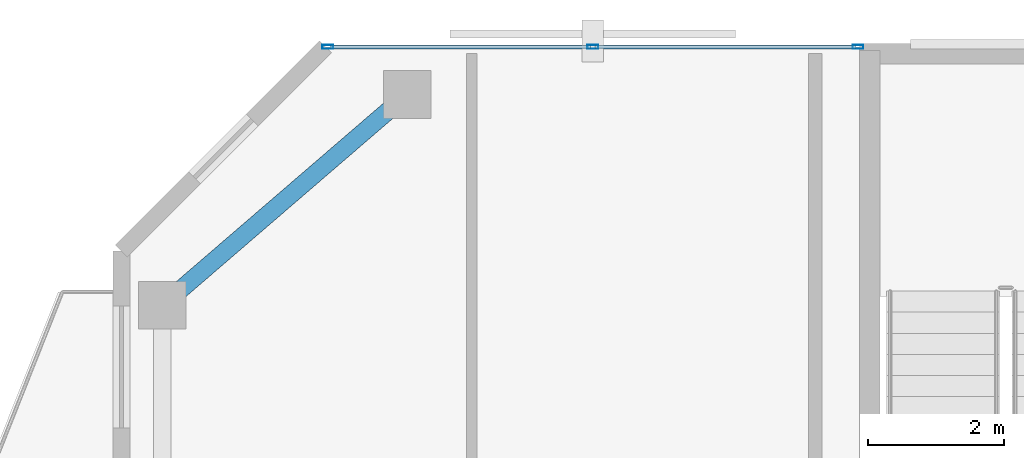
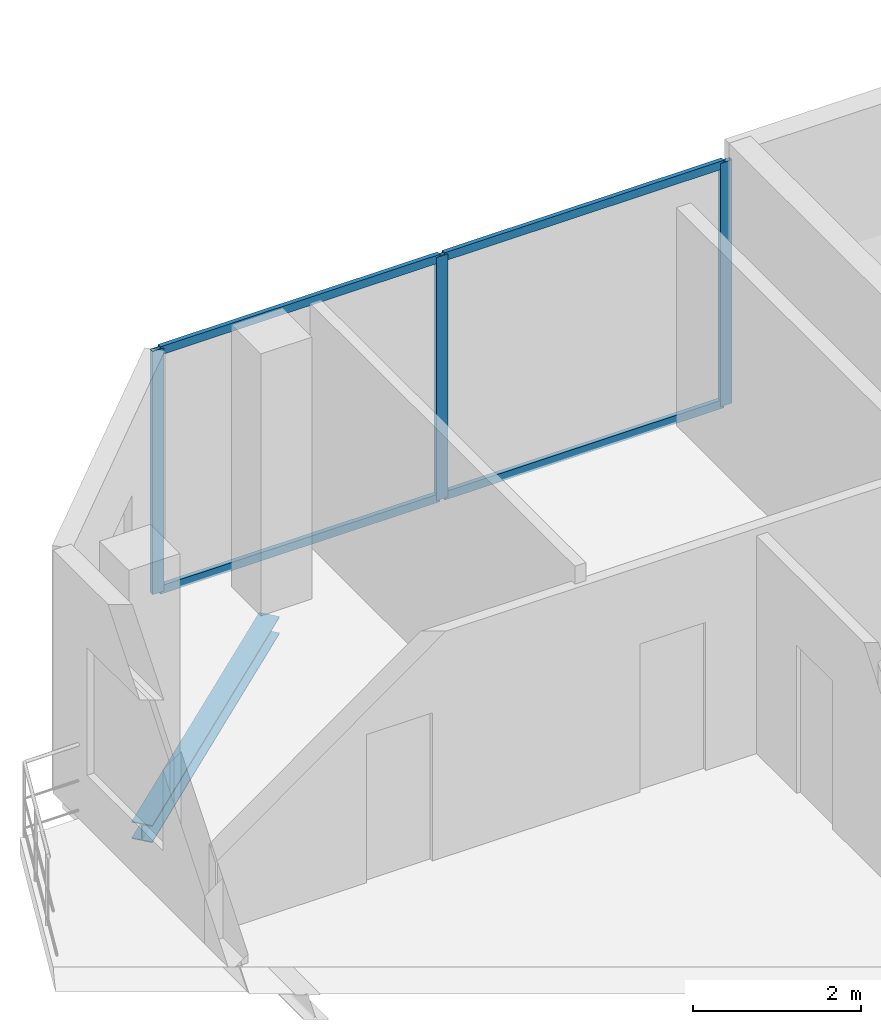
# One storey, part 16 of 22: 7 members, 1 beam, 1 element without a shape of its own.
"""IFC4 building model written with IfcOpenShell, lengths in metres."""

from ifc_helpers import new_model, si_unit, direction, frame, origin, origin_2d, place, context, subcontext, project, spatial, hollow_rectangle, i_section, extrude, material, layer, layer_set, material_profile, profile_set, type_object, element, aggregate, save


model = new_model("IFC4")

# Units and contexts
model_context = context("Model", 3, precision=1e-05, world=origin(), true_north=direction((0.0, 1.0)))
body_context = subcontext(model_context, "Body", "Model", "MODEL_VIEW")
ifc_project = project(units=[si_unit("LENGTHUNIT", "METRE"), si_unit("AREAUNIT", "SQUARE_METRE"), si_unit("VOLUMEUNIT", "CUBIC_METRE"), si_unit("PLANEANGLEUNIT", "RADIAN"), si_unit("MASSUNIT", "GRAM", prefix="KILO")], contexts=[model_context])

# Site, building, storey
site_placement = place(None, origin())
site = spatial("IfcSite", under=ifc_project, at=site_placement, CompositionType="ELEMENT")
building_placement = place(site_placement, origin())
building = spatial("IfcBuilding", under=site, at=building_placement, Name="Catumbela Crestline Tower", CompositionType="ELEMENT")
storey_placement = place(building_placement, frame((0.0, 0.0, 256.4)))
storey = spatial("IfcBuildingStorey", under=building, at=storey_placement, Name="L66", CompositionType="ELEMENT", Elevation=256.4)

# Curtain wall, members
ifc_material_1 = material(Name="Aluminium alloy AW-6060-T66", Category="aluminium")
ifc_layer = layer(ifc_material_1, 0.18, Name="Aluminium alloy AW-6060-T66")
ifc_layer_set = layer_set([ifc_layer], Name="Aluminium alloy AW-6060-T66")
curtain_wall_type = type_object("IfcCurtainWallType", Name="CWU-Z4", PredefinedType="USERDEFINED", material=ifc_layer_set)
curtain_wall_placement = place(storey_placement, origin())
curtain_wall = element("IfcCurtainWall", 1, at=curtain_wall_placement, inside=storey, type_object=curtain_wall_type, Name="L66 Unitised Curtain Wall CW-L66-E7S2", ObjectType="UNITISED", PredefinedType="USERDEFINED")
ifc_material_profile_1 = material_profile(ifc_material_1, hollow_rectangle(XDim=0.06, YDim=0.16, WallThickness=0.004, at=origin_2d()), Name="ALU 160x60x4")
ifc_profile_set_1 = profile_set([ifc_material_profile_1], Name="Aluminium alloy AW-6060-T66")
member_type_1 = type_object("IfcMemberType", Name="MUL-160X60", PredefinedType="MULLION", material=ifc_profile_set_1)
member_1_placement = place(storey_placement, frame((15.8275, 43.0, 0.0), z_axis=(0.0, 0.0, 1.0), x_axis=(0.0, -1.0, 0.0)))
member_1 = element("IfcMember", 2, at=member_1_placement, type_object=member_type_1, Name="CWU-Z4 mullion 1", PredefinedType="MULLION", context=body_context, shape_type="SweptSolid", body=[
    extrude(hollow_rectangle(XDim=0.06, YDim=0.16, WallThickness=0.004, at=origin_2d()), origin(), (0.0, 0.0, 1.0), 3.53),
])
member_2_placement = place(storey_placement, frame((11.93, 43.0, 0.0), z_axis=(0.0, 0.0, 1.0), x_axis=(0.0, -1.0, 0.0)))
member_2 = element("IfcMember", 3, at=member_2_placement, type_object=member_type_1, Name="CWU-Z4 mullion 2", PredefinedType="MULLION", context=body_context, shape_type="SweptSolid", body=[
    extrude(hollow_rectangle(XDim=0.06, YDim=0.16, WallThickness=0.004, at=origin_2d()), origin(), (0.0, 0.0, 1.0), 3.53),
])
member_3_placement = place(storey_placement, frame((8.0325, 43.0, 0.0), z_axis=(0.0, 0.0, 1.0), x_axis=(0.0, -1.0, 0.0)))
member_3 = element("IfcMember", 4, at=member_3_placement, type_object=member_type_1, Name="CWU-Z4 mullion 3", PredefinedType="MULLION", context=body_context, shape_type="SweptSolid", body=[
    extrude(hollow_rectangle(XDim=0.06, YDim=0.16, WallThickness=0.004, at=origin_2d()), origin(), (0.0, 0.0, 1.0), 3.53),
])

# Beam
ifc_material_2 = material(Name="Structural steel S355J2", Category="steel")
ifc_material_profile_2 = material_profile(ifc_material_2, i_section(OverallWidth=0.26, OverallDepth=0.25, WebThickness=0.0075, FlangeThickness=0.0125, FilletRadius=0.024, at=origin_2d()), Name="HEA 260")
ifc_profile_set_2 = profile_set([ifc_material_profile_2], Name="Structural steel S355J2")
beam_type = type_object("IfcBeamType", Name="BS-HEA260", PredefinedType="SPANDREL", material=ifc_profile_set_2)
beam_placement = place(storey_placement, frame((5.6606, 39.2522, -0.385), z_axis=(0.757772392559, 0.652518966066, 0.0), x_axis=(-0.652518966066, 0.757772392559, 0.0)))
element("IfcBeam", 5, at=beam_placement, inside=storey, type_object=beam_type, Name="L66 Spandrel SP-L66-N09", PredefinedType="SPANDREL", context=body_context, shape_type="SweptSolid", body=[
    extrude(i_section(OverallWidth=0.26, OverallDepth=0.25, WebThickness=0.0075, FlangeThickness=0.0125, FilletRadius=0.024, at=origin_2d()), origin(), (0.0, 0.0, 1.0), 4.5908),
])

# Member
ifc_material_profile_3 = material_profile(ifc_material_1, hollow_rectangle(XDim=0.06, YDim=0.12, WallThickness=0.0035, at=origin_2d()), Name="ALU 120x60x3.5")
ifc_profile_set_3 = profile_set([ifc_material_profile_3], Name="Aluminium alloy AW-6060-T66")
member_type_2 = type_object("IfcMemberType", Name="TRN-120X60", PredefinedType="USERDEFINED", material=ifc_profile_set_3)
member_4_placement = place(storey_placement, frame((15.795, 43.0, 0.03), z_axis=(-1.0, 0.0, 0.0), x_axis=(0.0, -1.0, 0.0)))
member_4 = element("IfcMember", 6, at=member_4_placement, type_object=member_type_2, Name="CWU-Z4 transom 1.1", ObjectType="TRANSOM", PredefinedType="USERDEFINED", context=body_context, shape_type="SweptSolid", body=[
    extrude(hollow_rectangle(XDim=0.06, YDim=0.12, WallThickness=0.0035, at=origin_2d()), origin(), (0.0, 0.0, 1.0), 3.8325),
])

member_5_placement = place(storey_placement, frame((15.795, 43.0, 3.5), z_axis=(-1.0, 0.0, 0.0), x_axis=(0.0, -1.0, 0.0)))
member_5 = element("IfcMember", 7, at=member_5_placement, type_object=member_type_2, Name="CWU-Z4 transom 1.2", ObjectType="TRANSOM", PredefinedType="USERDEFINED", context=body_context, shape_type="SweptSolid", body=[
    extrude(hollow_rectangle(XDim=0.06, YDim=0.12, WallThickness=0.0035, at=origin_2d()), origin(), (0.0, 0.0, 1.0), 3.8325),
])

member_6_placement = place(storey_placement, frame((11.8975, 43.0, 0.03), z_axis=(-1.0, 0.0, 0.0), x_axis=(0.0, -1.0, 0.0)))
member_6 = element("IfcMember", 8, at=member_6_placement, type_object=member_type_2, Name="CWU-Z4 transom 2.1", ObjectType="TRANSOM", PredefinedType="USERDEFINED", context=body_context, shape_type="SweptSolid", body=[
    extrude(hollow_rectangle(XDim=0.06, YDim=0.12, WallThickness=0.0035, at=origin_2d()), origin(), (0.0, 0.0, 1.0), 3.8325),
])

member_7_placement = place(storey_placement, frame((11.8975, 43.0, 3.5), z_axis=(-1.0, 0.0, 0.0), x_axis=(0.0, -1.0, 0.0)))
member_7 = element("IfcMember", 9, at=member_7_placement, type_object=member_type_2, Name="CWU-Z4 transom 2.2", ObjectType="TRANSOM", PredefinedType="USERDEFINED", context=body_context, shape_type="SweptSolid", body=[
    extrude(hollow_rectangle(XDim=0.06, YDim=0.12, WallThickness=0.0035, at=origin_2d()), origin(), (0.0, 0.0, 1.0), 3.8325),
])

aggregate(curtain_wall, [member_1, member_2, member_3, member_4, member_5, member_6, member_7])

save(model, "model.ifc")
